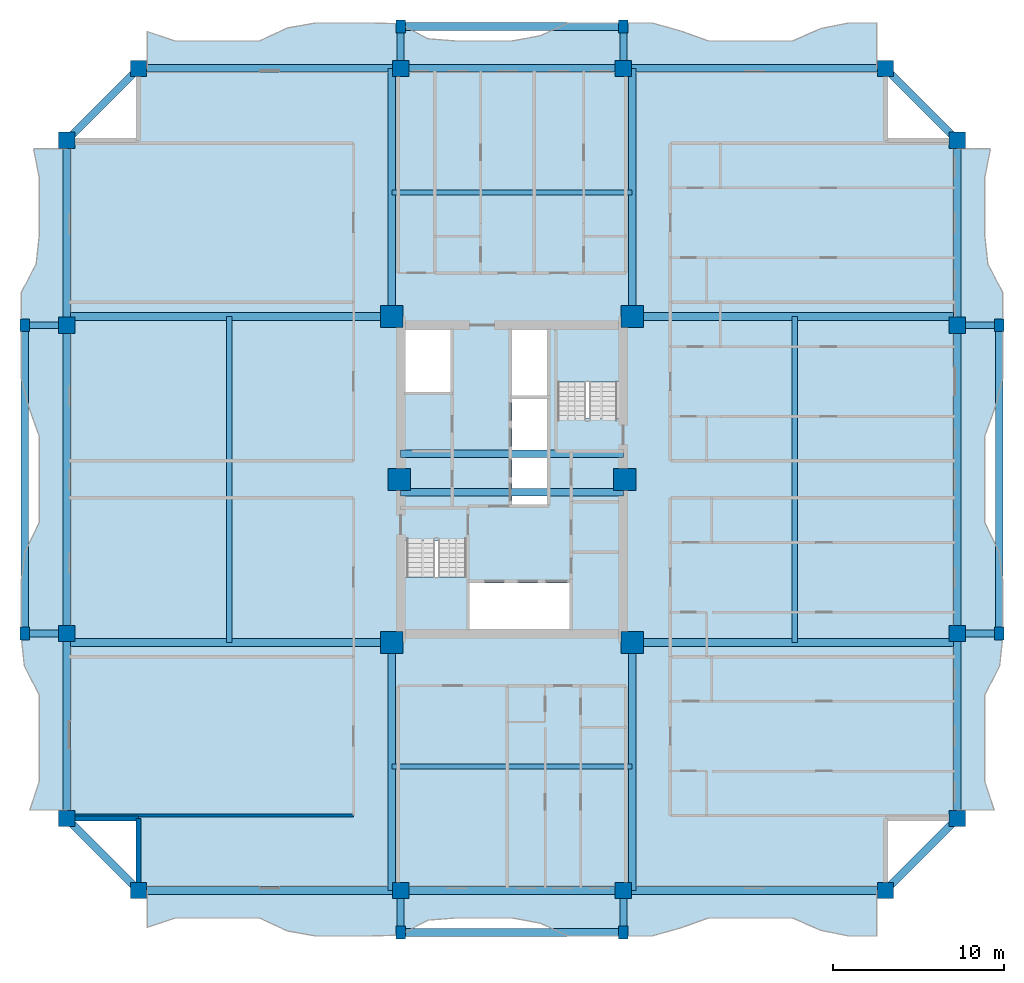
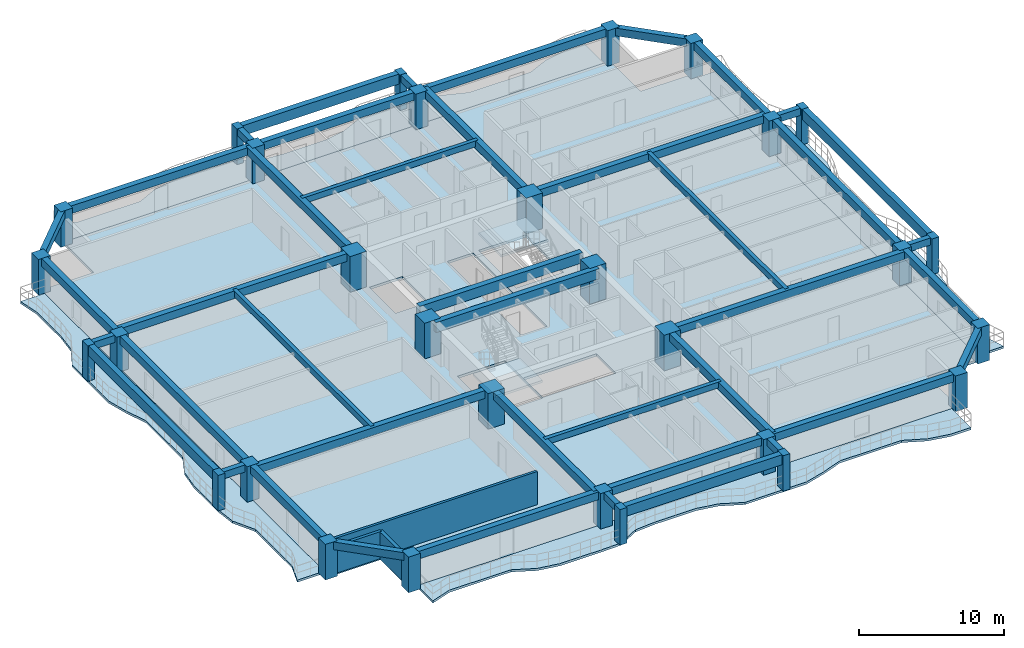
# One storey, part 1 of 12: 42 beams, 30 columns, 7 slabs, 3 walls, 2 elements without a shape of their own.
"""IFC4 building model written with IfcOpenShell, lengths in metres."""

import ifcopenshell
import ifcopenshell.guid

model = None  # the IFC model being written
_history = None  # IfcOwnerHistory: only IFC2X3 demands one
_inside = {}  # id of a spatial element -> (the spatial element, [elements in it])
_under = {}  # id of a project, library or spatial element -> (it, [spatial elements below it])
_declared = {}  # id of a project -> (the project, [libraries it declares])
_typed = {}  # id of a type object -> (the type object, [elements of that type])
_made_of = {}  # id of a material, layer set ... -> (it, [elements and type objects made of it])


def new_model(schema):
    """Start an empty IFC model of exactly this schema.

    Asked for "IFC4X3", IfcOpenShell would pick the latest addendum, in which some entities
    have other attributes; the version numbers below select the first issue.
    IFC2X3 requires an IfcOwnerHistory on every rooted entity: one is made here for all.
    """
    global model, _history
    if schema == "IFC4X3":
        model = ifcopenshell.file(schema_version=(4, 3, 0, 0))
    else:
        model = ifcopenshell.file(schema=schema)
    _inside.clear()
    _under.clear()
    _declared.clear()
    _typed.clear()
    _made_of.clear()
    _history = None
    if model.schema == "IFC2X3":
        org = make("IfcOrganization", Name="unknown")
        user = make(
            "IfcPersonAndOrganization",
            ThePerson=make("IfcPerson", FamilyName="unknown"),
            TheOrganization=org,
        )
        app = make(
            "IfcApplication",
            ApplicationDeveloper=org,
            Version="unknown",
            ApplicationFullName="unknown",
            ApplicationIdentifier="unknown",
        )
        _history = make(
            "IfcOwnerHistory",
            OwningUser=user,
            OwningApplication=app,
            ChangeAction="ADDED",
            CreationDate=0,
        )
    return model


def make(cls, **values):
    """One entity of the class cls with the attributes given. An attribute that is None is left unset."""
    return model.create_entity(
        cls, **{name: value for name, value in values.items() if value is not None}
    )


def rooted(cls, **values):
    """An entity with a GlobalId (a new one), such as an element, a storey or a relation."""
    return make(cls, GlobalId=ifcopenshell.guid.new(), OwnerHistory=_history, **values)


def si_unit(unit_type, name, prefix=None):
    """IfcSIUnit, for example si_unit("LENGTHUNIT", "METRE", prefix="MILLI")."""
    return make("IfcSIUnit", UnitType=unit_type, Prefix=prefix, Name=name)


def assignment(units):
    """IfcUnitAssignment: the units of a project."""
    return None if units is None else make("IfcUnitAssignment", Units=units)


def point(xyz):
    """IfcCartesianPoint."""
    return None if xyz is None else make("IfcCartesianPoint", Coordinates=xyz)


def direction(xyz):
    """IfcDirection."""
    return None if xyz is None else make("IfcDirection", DirectionRatios=xyz)


def frame(location, z_axis=None, x_axis=None):
    """IfcAxis2Placement3D, a coordinate frame: its origin and axes. An axis left out is left unset."""
    return make(
        "IfcAxis2Placement3D",
        Location=point(location),
        Axis=direction(z_axis),
        RefDirection=direction(x_axis),
    )


def frame_2d(location, x_axis=None):
    """IfcAxis2Placement2D, a coordinate frame in the plane: its origin and x axis."""
    return make(
        "IfcAxis2Placement2D", Location=point(location), RefDirection=direction(x_axis)
    )


def origin():
    """The frame at (0, 0, 0) with its axes left unset."""
    return frame((0.0, 0.0, 0.0))


def origin_2d():
    """The frame at (0, 0) in the plane with its x axis left unset."""
    return frame_2d((0.0, 0.0))


def place(relative_to, where):
    """IfcLocalPlacement: puts the frame where relative to a parent placement (None: the world)."""
    return make(
        "IfcLocalPlacement", PlacementRelTo=relative_to, RelativePlacement=where
    )


def context(
    kind, dimensions, precision=None, world=None, true_north=None, identifier=None
):
    """IfcGeometricRepresentationContext, for example the 3D "Model" context."""
    return make(
        "IfcGeometricRepresentationContext",
        ContextIdentifier=identifier,
        ContextType=kind,
        CoordinateSpaceDimension=dimensions,
        Precision=precision,
        WorldCoordinateSystem=world,
        TrueNorth=true_north,
    )


def subcontext(parent, identifier, kind, view, scale=None):
    """IfcGeometricRepresentationSubContext, for example "Body" below "Model"."""
    return make(
        "IfcGeometricRepresentationSubContext",
        ContextIdentifier=identifier,
        ContextType=kind,
        ParentContext=parent,
        TargetScale=scale,
        TargetView=view,
    )


def project(units=None, contexts=None):
    """IfcProject with its units and contexts."""
    return rooted(
        "IfcProject",
        Name="project",
        RepresentationContexts=contexts,
        UnitsInContext=assignment(units),
    )


def spatial(cls, under=None, at=None, **own):
    """A site, building, storey or space (cls), placed at a placement, below another one or the project."""
    s = rooted(cls, ObjectPlacement=at, **own)
    if under is not None:
        _under.setdefault(under.id(), (under, []))[1].append(s)
    return s


def polyline(points):
    """IfcPolyline through the points."""
    return make("IfcPolyline", Points=[point(p) for p in points])


def profile(cls, at=None, kind="AREA", **sizes):
    """A parametric profile (cls). Its sizes go by their IFC names, for example OverallWidth=200.0."""
    return make(cls, ProfileType=kind, Position=at, **sizes)


def rectangle(**sizes):
    """IfcRectangleProfileDef."""
    return profile("IfcRectangleProfileDef", **sizes)


def outline(outer, holes=None, kind="AREA"):
    """IfcArbitraryClosedProfileDef: a profile drawn as a closed curve; with holes, ...WithVoids."""
    if holes is None:
        return make("IfcArbitraryClosedProfileDef", ProfileType=kind, OuterCurve=outer)
    return make(
        "IfcArbitraryProfileDefWithVoids",
        ProfileType=kind,
        OuterCurve=outer,
        InnerCurves=holes,
    )


def extrude(swept, where, along, depth):
    """IfcExtrudedAreaSolid: the profile swept, set in the frame where, extruded along a direction by depth."""
    return make(
        "IfcExtrudedAreaSolid",
        SweptArea=swept,
        Position=where,
        ExtrudedDirection=direction(along),
        Depth=depth,
    )


def shape(context_of_items, identifier, shape_type, items):
    """IfcShapeRepresentation: the items that make up one representation, for example the "Body"."""
    return make(
        "IfcShapeRepresentation",
        ContextOfItems=context_of_items,
        RepresentationIdentifier=identifier,
        RepresentationType=shape_type,
        Items=items,
    )


def source(mapping_origin, context_of_items, identifier, shape_type, items):
    """IfcRepresentationMap: a shape defined once, which mapped items show again and again."""
    return make(
        "IfcRepresentationMap",
        MappingOrigin=mapping_origin,
        MappedRepresentation=shape(context_of_items, identifier, shape_type, items),
    )


def transform(
    local_origin,
    x_axis=None,
    y_axis=None,
    z_axis=None,
    scale=None,
    scale2=None,
    scale3=None,
    uniform=True,
):
    """IfcCartesianTransformationOperator3D, or its non-uniform kind. x_axis, y_axis, z_axis: its Axis1, 2, 3."""
    if uniform:
        return make(
            "IfcCartesianTransformationOperator3D",
            Axis1=direction(x_axis),
            Axis2=direction(y_axis),
            LocalOrigin=point(local_origin),
            Scale=scale,
            Axis3=direction(z_axis),
        )
    return make(
        "IfcCartesianTransformationOperator3DnonUniform",
        Axis1=direction(x_axis),
        Axis2=direction(y_axis),
        LocalOrigin=point(local_origin),
        Scale=scale,
        Axis3=direction(z_axis),
        Scale2=scale2,
        Scale3=scale3,
    )


def mapped(mapping_source, mapping_target):
    """IfcMappedItem: shows the shape of a source again, moved by a transform."""
    return make(
        "IfcMappedItem", MappingSource=mapping_source, MappingTarget=mapping_target
    )


def material(Name=None, Category=None):
    """IfcMaterial."""
    return make("IfcMaterial", Name=Name, Category=Category)


def layer(
    of_material, thickness, ventilated=None, Name=None, Category=None, Priority=None
):
    """IfcMaterialLayer: one layer of a wall or slab, of a material (None: an air gap)."""
    return make(
        "IfcMaterialLayer",
        Material=of_material,
        LayerThickness=thickness,
        IsVentilated=ventilated,
        Name=Name,
        Category=Category,
        Priority=Priority,
    )


def layer_set(layers, Name=None):
    """IfcMaterialLayerSet."""
    return make("IfcMaterialLayerSet", MaterialLayers=layers, LayerSetName=Name)


def material_profile(
    of_material, cross_section, Name=None, Category=None, Priority=None
):
    """IfcMaterialProfile: a cross section and its material."""
    return make(
        "IfcMaterialProfile",
        Name=Name,
        Material=of_material,
        Profile=cross_section,
        Priority=Priority,
        Category=Category,
    )


def profile_set(profiles, Name=None, composite=None):
    """IfcMaterialProfileSet."""
    return make(
        "IfcMaterialProfileSet",
        Name=Name,
        MaterialProfiles=profiles,
        CompositeProfile=composite,
    )


def made_of(thing, what):
    """Note that an element or type object is made of a material, layer set ...; save() writes the relation."""
    if what is not None:
        _made_of.setdefault(what.id(), (what, []))[1].append(thing)
    return thing


def type_object(cls, material=None, **own):
    """A type object (cls), such as IfcWallType, which elements share."""
    return made_of(rooted(cls, **own), material)


def element(
    cls,
    number,
    at=None,
    inside=None,
    cuts=None,
    type_object=None,
    material=None,
    context=None,
    identifier="Body",
    shape_type=None,
    held_by="IfcProductDefinitionShape",
    body=None,
    shapes=None,
    **own,
):
    """One element of the class cls, such as IfcWall. Its Tag is "e" and its number.

    at: its placement. inside: the storey or other place that contains it. cuts: it is an
    opening in that element (IfcRelVoidsElement). A single representation is given by context,
    identifier, shape_type and body (its items); several are given by shapes. held_by: the class
    of the entity that holds the representations. save() writes the other relations.
    """
    e = rooted(cls, Tag="e%d" % number, ObjectPlacement=at, **own)
    if body is not None:
        shapes = [shape(context, identifier, shape_type, body)]
    if shapes is not None:
        e.Representation = make(held_by, Representations=shapes)
    if inside is not None:
        _inside.setdefault(inside.id(), (inside, []))[1].append(e)
    if cuts is not None:
        rooted(
            "IfcRelVoidsElement", RelatingBuildingElement=cuts, RelatedOpeningElement=e
        )
    if type_object is not None:
        _typed.setdefault(type_object.id(), (type_object, []))[1].append(e)
    return made_of(e, material)


def aggregate(whole, parts):
    """IfcRelAggregates: a whole, such as a stair, and the parts it consists of."""
    return rooted("IfcRelAggregates", RelatingObject=whole, RelatedObjects=parts)


def save(model, path):
    """Write the relations noted so far, then the file.

    IfcRelAggregates (storeys below a building ...), IfcRelContainedInSpatialStructure (elements
    in a storey), IfcRelDefinesByType, IfcRelAssociatesMaterial and IfcRelDeclares: one each for
    every whole, place, type object, material and project.
    """
    for whole, parts in _under.values():
        aggregate(whole, parts)
    for where, things in _inside.values():
        rooted(
            "IfcRelContainedInSpatialStructure",
            RelatedElements=things,
            RelatingStructure=where,
        )
    for kind, things in _typed.values():
        rooted("IfcRelDefinesByType", RelatedObjects=things, RelatingType=kind)
    for what, things in _made_of.values():
        rooted("IfcRelAssociatesMaterial", RelatedObjects=things, RelatingMaterial=what)
    for by, libraries in _declared.values():
        rooted("IfcRelDeclares", RelatingContext=by, RelatedDefinitions=libraries)
    model.write(path)


model = new_model("IFC4")

# Units and contexts
model_context = context("Model", 3, precision=1e-05, world=origin(), true_north=direction((0.0, 1.0)))
body_context = subcontext(model_context, "Body", "Model", "MODEL_VIEW")
ifc_project = project(units=[si_unit("LENGTHUNIT", "METRE"), si_unit("AREAUNIT", "SQUARE_METRE"), si_unit("VOLUMEUNIT", "CUBIC_METRE"), si_unit("PLANEANGLEUNIT", "RADIAN"), si_unit("MASSUNIT", "GRAM", prefix="KILO")], contexts=[model_context])

# Site, building, storey
site_placement = place(None, origin())
site = spatial("IfcSite", under=ifc_project, at=site_placement, CompositionType="ELEMENT")
building_placement = place(site_placement, origin())
building = spatial("IfcBuilding", under=site, at=building_placement, Name="Saelheon Loggia Tower", CompositionType="ELEMENT")
storey_placement = place(building_placement, frame((0.0, 0.0, 101.85009765625)))
storey = spatial("IfcBuildingStorey", under=building, at=storey_placement, Name="L32", CompositionType="ELEMENT", Elevation=101.85009765625)

# Columns
ifc_material_1 = material(Name="Precast Concrete C45/55", Category="concrete")
ifc_material_profile_1 = material_profile(ifc_material_1, rectangle(XDim=0.550048828125, YDim=0.75, at=origin_2d()), Name="RC-550x750")
ifc_profile_set_1 = profile_set([ifc_material_profile_1], Name="Precast Concrete C45/55")
column_type_1 = type_object("IfcColumnType", Name="Col_Loggia_Pilaster_750", PredefinedType="PILASTER", material=ifc_profile_set_1)
shared_shape_1 = source(origin(), body_context, "Body", "SweptSolid", [
    extrude(rectangle(XDim=0.550048828125, YDim=0.75, at=origin_2d()), origin(), (0.0, 0.0, 1.0), 3.0),
])
for number, where, z_axis, x_axis, name in (
    (1, (31.5, 0.550048828125, 0.0), (0.0, 0.0, 1.0), (1.0, 0.0, 0.0), "L32 Loggia Frame Pilaster LP-S1"),
    (2, (44.5, 0.550048828125, 0.0), (0.0, 0.0, 1.0), (1.0, 0.0, 0.0), "L32 Loggia Frame Pilaster LP-S2"),
    (3, (31.5, 53.449951171875, 0.0), (0.0, 0.0, 1.0), (1.0, 0.0, 0.0), "L32 Loggia Frame Pilaster LP-N1"),
    (4, (44.5, 53.449951171875, 0.0), (0.0, 0.0, 1.0), (1.0, 0.0, 0.0), "L32 Loggia Frame Pilaster LP-N2"),
    (5, (66.449951171875, 18.0, 0.0), (0.0, 0.0, 1.0), (1.0, 0.0, 0.0), "L32 Loggia Frame Pilaster LP-E1"),
    (6, (66.449951171875, 36.0, 0.0), (0.0, 0.0, 1.0), (1.0, 0.0, 0.0), "L32 Loggia Frame Pilaster LP-E2"),
    (7, (9.550048828125, 18.0, 0.0), (0.0, 0.0, 1.0), (1.0, 0.0, 0.0), "L32 Loggia Frame Pilaster LP-W1"),
    (8, (9.550048828125, 36.0, 0.0), (0.0, 0.0, 1.0), (1.0, 0.0, 0.0), "L32 Loggia Frame Pilaster LP-W2"),
):
    element("IfcColumn", number, at=place(storey_placement, frame(where, z_axis=z_axis, x_axis=x_axis)), inside=storey, type_object=column_type_1, Name=name, PredefinedType="PILASTER", context=body_context, shape_type="MappedRepresentation", body=[
        mapped(shared_shape_1, transform((0.0, 0.0, 0.0), scale=1.0)),
    ])
ifc_material_2 = material(Name="Concrete C60/75", Category="concrete")
ifc_material_profile_2 = material_profile(ifc_material_2, rectangle(XDim=1.300048828125, YDim=1.300048828125, at=origin_2d()), Name="RC-1300x1300")
ifc_profile_set_2 = profile_set([ifc_material_profile_2], Name="Concrete C60/75")
column_type_2 = type_object("IfcColumnType", Name="Col_Core_RC1300", PredefinedType="COLUMN", material=ifc_profile_set_2)
shared_shape_2 = source(origin(), body_context, "Body", "SweptSolid", [
    extrude(rectangle(XDim=1.300048828125, YDim=1.300048828125, at=origin_2d()), origin(), (0.0, 0.0, 1.0), 3.0),
])
for number, where, z_axis, x_axis, name in (
    (9, (30.97998046875, 17.47998046875, 0.0), (0.0, 0.0, 1.0), (1.0, 0.0, 0.0), "L32 Core Column CR-SW"),
    (10, (45.02001953125, 17.47998046875, 0.0), (0.0, 0.0, 1.0), (1.0, 0.0, 0.0), "L32 Core Column CR-SE"),
    (11, (30.97998046875, 36.52001953125, 0.0), (0.0, 0.0, 1.0), (1.0, 0.0, 0.0), "L32 Core Column CR-NW"),
    (12, (45.02001953125, 36.52001953125, 0.0), (0.0, 0.0, 1.0), (1.0, 0.0, 0.0), "L32 Core Column CR-NE"),
    (13, (31.419921875, 27.0, 0.0), (0.0, 0.0, 1.0), (1.0, 0.0, 0.0), "L32 Core Column CR-MW"),
    (14, (44.580078125, 27.0, 0.0), (0.0, 0.0, 1.0), (1.0, 0.0, 0.0), "L32 Core Column CR-ME"),
):
    element("IfcColumn", number, at=place(storey_placement, frame(where, z_axis=z_axis, x_axis=x_axis)), inside=storey, type_object=column_type_2, Name=name, PredefinedType="COLUMN", context=body_context, shape_type="MappedRepresentation", body=[
        mapped(shared_shape_2, transform((0.0, 0.0, 0.0), scale=1.0)),
    ])
ifc_material_3 = material(Name="Concrete C50/60", Category="concrete")
ifc_material_profile_3 = material_profile(ifc_material_3, rectangle(XDim=0.949951171875, YDim=0.949951171875, at=origin_2d()), Name="RC-950x950")
ifc_profile_set_3 = profile_set([ifc_material_profile_3], Name="Concrete C50/60")
column_type_3 = type_object("IfcColumnType", Name="Col_Perim_RC950", PredefinedType="COLUMN", material=ifc_profile_set_3)
shared_shape_3 = source(origin(), body_context, "Body", "SweptSolid", [
    extrude(rectangle(XDim=0.949951171875, YDim=0.949951171875, at=origin_2d()), origin(), (0.0, 0.0, 1.0), 3.0),
])
for number, where, z_axis, x_axis, name in (
    (15, (16.199951171875, 3.0, 0.0), (0.0, 0.0, 1.0), (1.0, 0.0, 0.0), "L32 Perimeter Column TP-S1"),
    (16, (31.5, 3.0, 0.0), (0.0, 0.0, 1.0), (1.0, 0.0, 0.0), "L32 Perimeter Column TP-SA"),
    (17, (44.5, 3.0, 0.0), (0.0, 0.0, 1.0), (1.0, 0.0, 0.0), "L32 Perimeter Column TP-SB"),
    (18, (59.800048828125, 3.0, 0.0), (0.0, 0.0, 1.0), (1.0, 0.0, 0.0), "L32 Perimeter Column TP-S2"),
    (19, (64.0, 7.199951171875, 0.0), (0.0, 0.0, 1.0), (1.0, 0.0, 0.0), "L32 Perimeter Column TP-E1"),
    (20, (64.0, 18.0, 0.0), (0.0, 0.0, 1.0), (1.0, 0.0, 0.0), "L32 Perimeter Column TP-EA"),
    (21, (64.0, 36.0, 0.0), (0.0, 0.0, 1.0), (1.0, 0.0, 0.0), "L32 Perimeter Column TP-EB"),
    (22, (64.0, 46.800048828125, 0.0), (0.0, 0.0, 1.0), (1.0, 0.0, 0.0), "L32 Perimeter Column TP-E2"),
    (23, (59.800048828125, 51.0, 0.0), (0.0, 0.0, 1.0), (1.0, 0.0, 0.0), "L32 Perimeter Column TP-N2"),
    (24, (44.5, 51.0, 0.0), (0.0, 0.0, 1.0), (1.0, 0.0, 0.0), "L32 Perimeter Column TP-NB"),
    (25, (31.5, 51.0, 0.0), (0.0, 0.0, 1.0), (1.0, 0.0, 0.0), "L32 Perimeter Column TP-NA"),
    (26, (16.199951171875, 51.0, 0.0), (0.0, 0.0, 1.0), (1.0, 0.0, 0.0), "L32 Perimeter Column TP-N1"),
    (27, (12.0, 46.800048828125, 0.0), (0.0, 0.0, 1.0), (1.0, 0.0, 0.0), "L32 Perimeter Column TP-W2"),
    (28, (12.0, 36.0, 0.0), (0.0, 0.0, 1.0), (1.0, 0.0, 0.0), "L32 Perimeter Column TP-WB"),
    (29, (12.0, 18.0, 0.0), (0.0, 0.0, 1.0), (1.0, 0.0, 0.0), "L32 Perimeter Column TP-WA"),
    (30, (12.0, 7.199951171875, 0.0), (0.0, 0.0, 1.0), (1.0, 0.0, 0.0), "L32 Perimeter Column TP-W1"),
):
    element("IfcColumn", number, at=place(storey_placement, frame(where, z_axis=z_axis, x_axis=x_axis)), inside=storey, type_object=column_type_3, Name=name, PredefinedType="COLUMN", context=body_context, shape_type="MappedRepresentation", body=[
        mapped(shared_shape_3, transform((0.0, 0.0, 0.0), scale=1.0)),
    ])

# Beams
ifc_material_profile_4 = material_profile(ifc_material_3, rectangle(XDim=0.449951171875, YDim=0.85009765625, at=origin_2d()), Name="RC-450x850")
ifc_profile_set_4 = profile_set([ifc_material_profile_4], Name="Concrete C50/60")
beam_type_1 = type_object("IfcBeamType", Name="Beam_CoreLintel_RC450x850", PredefinedType="LINTEL", material=ifc_profile_set_4)
shared_shape_4 = source(origin(), body_context, "Body", "SweptSolid", [
    extrude(rectangle(XDim=0.449951171875, YDim=0.85009765625, at=origin_2d()), origin(), (0.0, 0.0, 1.0), 13.0),
])
for number, where, z_axis, x_axis, name in (
    (31, (31.5, 26.25, 2.574951171875), (1.0, 0.0, 0.0), (0.0, 1.0, 0.0), "L32 Core Coupling Lintel 1"),
    (32, (31.5, 28.5, 2.574951171875), (1.0, 0.0, 0.0), (0.0, 1.0, 0.0), "L32 Core Coupling Lintel 2"),
):
    element("IfcBeam", number, at=place(storey_placement, frame(where, z_axis=z_axis, x_axis=x_axis)), inside=storey, type_object=beam_type_1, Name=name, PredefinedType="LINTEL", context=body_context, shape_type="MappedRepresentation", body=[
        mapped(shared_shape_4, transform((0.0, 0.0, 0.0), scale=1.0)),
    ])
ifc_material_profile_5 = material_profile(ifc_material_1, rectangle(XDim=0.449951171875, YDim=0.85009765625, at=origin_2d()), Name="RC-450x850")
ifc_profile_set_5 = profile_set([ifc_material_profile_5], Name="Precast Concrete C45/55")
beam_type_2 = type_object("IfcBeamType", Name="Beam_LoggiaSpandrel_RC450x850", PredefinedType="SPANDREL", material=ifc_profile_set_5)
for number, where, z_axis, x_axis, name in (
    (33, (31.5, 0.550048828125, 2.574951171875), (1.0, 0.0, 0.0), (0.0, 1.0, 0.0), "L32 Loggia Spandrel Beam S"),
    (34, (31.5, 53.449951171875, 2.574951171875), (1.0, 0.0, 0.0), (0.0, 1.0, 0.0), "L32 Loggia Spandrel Beam N"),
):
    element("IfcBeam", number, at=place(storey_placement, frame(where, z_axis=z_axis, x_axis=x_axis)), inside=storey, type_object=beam_type_2, Name=name, PredefinedType="SPANDREL", context=body_context, shape_type="MappedRepresentation", body=[
        mapped(shared_shape_4, transform((0.0, 0.0, 0.0), scale=1.0)),
    ])
ifc_material_profile_6 = material_profile(ifc_material_1, rectangle(XDim=0.39990234375, YDim=0.60009765625, at=origin_2d()), Name="RC-400x600")
ifc_profile_set_6 = profile_set([ifc_material_profile_6], Name="Precast Concrete C45/55")
beam_type_3 = type_object("IfcBeamType", Name="Beam_LoggiaTie_RC400x600", PredefinedType="BEAM", material=ifc_profile_set_6)
shared_shape_5 = source(origin(), body_context, "Body", "SweptSolid", [
    extrude(rectangle(XDim=0.39990234375, YDim=0.60009765625, at=origin_2d()), origin(), (0.0, 0.0, 1.0), 2.449951171875),
])
for number, where, z_axis, x_axis, name in (
    (35, (31.5, 3.0, 2.699951171875), (0.0, -1.0, 0.0), (1.0, 0.0, 0.0), "L32 Loggia Frame Tie Beam LP-S1"),
    (36, (44.5, 3.0, 2.699951171875), (0.0, -1.0, 0.0), (1.0, 0.0, 0.0), "L32 Loggia Frame Tie Beam LP-S2"),
    (37, (31.5, 51.0, 2.699951171875), (0.0, 1.0, 0.0), (-1.0, 0.0, 0.0), "L32 Loggia Frame Tie Beam LP-N1"),
    (38, (44.5, 51.0, 2.699951171875), (0.0, 1.0, 0.0), (-1.0, 0.0, 0.0), "L32 Loggia Frame Tie Beam LP-N2"),
    (39, (64.0, 18.0, 2.699951171875), (1.0, 0.0, 0.0), (0.0, 1.0, 0.0), "L32 Loggia Frame Tie Beam LP-E1"),
    (40, (64.0, 36.0, 2.699951171875), (1.0, 0.0, 0.0), (0.0, 1.0, 0.0), "L32 Loggia Frame Tie Beam LP-E2"),
    (41, (12.0, 18.0, 2.699951171875), (-1.0, 0.0, 0.0), (0.0, -1.0, 0.0), "L32 Loggia Frame Tie Beam LP-W1"),
    (42, (12.0, 36.0, 2.699951171875), (-1.0, 0.0, 0.0), (0.0, -1.0, 0.0), "L32 Loggia Frame Tie Beam LP-W2"),
):
    element("IfcBeam", number, at=place(storey_placement, frame(where, z_axis=z_axis, x_axis=x_axis)), inside=storey, type_object=beam_type_3, Name=name, PredefinedType="BEAM", context=body_context, shape_type="MappedRepresentation", body=[
        mapped(shared_shape_5, transform((0.0, 0.0, 0.0), scale=1.0)),
    ])
shared_shape_6 = source(origin(), body_context, "Body", "SweptSolid", [
    extrude(rectangle(XDim=0.449951171875, YDim=0.85009765625, at=origin_2d()), origin(), (0.0, 0.0, 1.0), 18.0),
])
for number, where, z_axis, x_axis, name in (
    (43, (66.449951171875, 18.0, 2.574951171875), (0.0, 1.0, 0.0), (-1.0, 0.0, 0.0), "L32 Loggia Spandrel Beam E"),
    (44, (9.550048828125, 18.0, 2.574951171875), (0.0, 1.0, 0.0), (-1.0, 0.0, 0.0), "L32 Loggia Spandrel Beam W"),
):
    element("IfcBeam", number, at=place(storey_placement, frame(where, z_axis=z_axis, x_axis=x_axis)), inside=storey, type_object=beam_type_2, Name=name, PredefinedType="SPANDREL", context=body_context, shape_type="MappedRepresentation", body=[
        mapped(shared_shape_6, transform((0.0, 0.0, 0.0), scale=1.0)),
    ])
ifc_material_4 = material(Name="Concrete C40/50", Category="concrete")
ifc_material_profile_7 = material_profile(ifc_material_4, rectangle(XDim=0.449951171875, YDim=0.64990234375, at=origin_2d()), Name="RC-450x650")
ifc_profile_set_7 = profile_set([ifc_material_profile_7], Name="Concrete C40/50")
beam_type_4 = type_object("IfcBeamType", Name="Beam_PerimTower_RC450x650", PredefinedType="BEAM", material=ifc_profile_set_7)
shared_shape_7 = source(origin(), body_context, "Body", "SweptSolid", [
    extrude(rectangle(XDim=0.449951171875, YDim=0.64990234375, at=origin_2d()), origin(), (0.0, 0.0, 1.0), 15.300048828125),
])
for number, where, z_axis, x_axis, name in (
    (45, (16.199951171875, 3.0, 2.6748046875), (1.0, 0.0, 0.0), (0.0, 1.0, 0.0), "L32 Perimeter Frame Girder 01"),
    (46, (44.5, 3.0, 2.6748046875), (1.0, 0.0, 0.0), (0.0, 1.0, 0.0), "L32 Perimeter Frame Girder 03"),
    (47, (59.800048828125, 51.0, 2.6748046875), (-1.0, 0.0, 0.0), (0.0, -1.0, 0.0), "L32 Perimeter Frame Girder 09"),
    (48, (31.5, 51.0, 2.6748046875), (-1.0, 0.0, 0.0), (0.0, -1.0, 0.0), "L32 Perimeter Frame Girder 11"),
):
    element("IfcBeam", number, at=place(storey_placement, frame(where, z_axis=z_axis, x_axis=x_axis)), inside=storey, type_object=beam_type_4, Name=name, PredefinedType="BEAM", context=body_context, shape_type="MappedRepresentation", body=[
        mapped(shared_shape_7, transform((0.0, 0.0, 0.0), scale=1.0)),
    ])
shared_shape_8 = source(origin(), body_context, "Body", "SweptSolid", [
    extrude(rectangle(XDim=0.449951171875, YDim=0.64990234375, at=origin_2d()), origin(), (0.0, 0.0, 1.0), 13.0),
])
for number, where, z_axis, x_axis, name in (
    (49, (31.5, 3.0, 2.6748046875), (1.0, 0.0, 0.0), (0.0, 1.0, 0.0), "L32 Perimeter Frame Girder 02"),
    (50, (44.5, 51.0, 2.6748046875), (-1.0, 0.0, 0.0), (0.0, -1.0, 0.0), "L32 Perimeter Frame Girder 10"),
):
    element("IfcBeam", number, at=place(storey_placement, frame(where, z_axis=z_axis, x_axis=x_axis)), inside=storey, type_object=beam_type_4, Name=name, PredefinedType="BEAM", context=body_context, shape_type="MappedRepresentation", body=[
        mapped(shared_shape_8, transform((0.0, 0.0, 0.0), scale=1.0)),
    ])
shared_shape_9 = source(origin(), body_context, "Body", "SweptSolid", [
    extrude(rectangle(XDim=0.449951171875, YDim=0.64990234375, at=origin_2d()), origin(), (0.0, 0.0, 1.0), 5.939697265625),
])
for number, where, z_axis, x_axis, name in (
    (51, (59.800048828125, 3.0, 2.6748046875), (0.707106781187, 0.707106781187, 0.0), (-0.707106781187, 0.707106781187, 0.0), "L32 Perimeter Frame Girder 04"),
    (52, (64.0, 46.800048828125, 2.6748046875), (-0.707106781187, 0.707106781187, 0.0), (-0.707106781187, -0.707106781187, 0.0), "L32 Perimeter Frame Girder 08"),
    (53, (16.199951171875, 51.0, 2.6748046875), (-0.707106781187, -0.707106781187, 0.0), (0.707106781187, -0.707106781187, 0.0), "L32 Perimeter Frame Girder 12"),
    (54, (12.0, 7.199951171875, 2.6748046875), (0.707106781187, -0.707106781187, 0.0), (0.707106781187, 0.707106781187, 0.0), "L32 Perimeter Frame Girder 16"),
):
    element("IfcBeam", number, at=place(storey_placement, frame(where, z_axis=z_axis, x_axis=x_axis)), inside=storey, type_object=beam_type_4, Name=name, PredefinedType="BEAM", context=body_context, shape_type="MappedRepresentation", body=[
        mapped(shared_shape_9, transform((0.0, 0.0, 0.0), scale=1.0)),
    ])
shared_shape_10 = source(origin(), body_context, "Body", "SweptSolid", [
    extrude(rectangle(XDim=0.449951171875, YDim=0.64990234375, at=origin_2d()), origin(), (0.0, 0.0, 1.0), 10.800048828125),
])
for number, where, z_axis, x_axis, name in (
    (55, (64.0, 7.199951171875, 2.6748046875), (0.0, 1.0, 0.0), (-1.0, 0.0, 0.0), "L32 Perimeter Frame Girder 05"),
    (56, (64.0, 36.0, 2.6748046875), (0.0, 1.0, 0.0), (-1.0, 0.0, 0.0), "L32 Perimeter Frame Girder 07"),
    (57, (12.0, 46.800048828125, 2.6748046875), (0.0, -1.0, 0.0), (1.0, 0.0, 0.0), "L32 Perimeter Frame Girder 13"),
    (58, (12.0, 18.0, 2.6748046875), (0.0, -1.0, 0.0), (1.0, 0.0, 0.0), "L32 Perimeter Frame Girder 15"),
):
    element("IfcBeam", number, at=place(storey_placement, frame(where, z_axis=z_axis, x_axis=x_axis)), inside=storey, type_object=beam_type_4, Name=name, PredefinedType="BEAM", context=body_context, shape_type="MappedRepresentation", body=[
        mapped(shared_shape_10, transform((0.0, 0.0, 0.0), scale=1.0)),
    ])
shared_shape_11 = source(origin(), body_context, "Body", "SweptSolid", [
    extrude(rectangle(XDim=0.449951171875, YDim=0.64990234375, at=origin_2d()), origin(), (0.0, 0.0, 1.0), 18.0),
])
for number, where, z_axis, x_axis, name in (
    (59, (64.0, 18.0, 2.6748046875), (0.0, 1.0, 0.0), (-1.0, 0.0, 0.0), "L32 Perimeter Frame Girder 06"),
    (60, (12.0, 36.0, 2.6748046875), (0.0, -1.0, 0.0), (1.0, 0.0, 0.0), "L32 Perimeter Frame Girder 14"),
):
    element("IfcBeam", number, at=place(storey_placement, frame(where, z_axis=z_axis, x_axis=x_axis)), inside=storey, type_object=beam_type_4, Name=name, PredefinedType="BEAM", context=body_context, shape_type="MappedRepresentation", body=[
        mapped(shared_shape_11, transform((0.0, 0.0, 0.0), scale=1.0)),
    ])
ifc_material_profile_8 = material_profile(ifc_material_4, rectangle(XDim=0.449951171875, YDim=0.64990234375, at=origin_2d()), Name="RC-450x650")
ifc_profile_set_8 = profile_set([ifc_material_profile_8], Name="Concrete C40/50")
beam_type_5 = type_object("IfcBeamType", Name="Beam_TowerGirder_RC450x650", PredefinedType="BEAM", material=ifc_profile_set_8)
shared_shape_12 = source(origin(), body_context, "Body", "SweptSolid", [
    extrude(rectangle(XDim=0.449951171875, YDim=0.64990234375, at=origin_2d()), origin(), (0.0, 0.0, 1.0), 14.47998046875),
])
for number, where, z_axis, x_axis, name in (
    (61, (30.97998046875, 17.47998046875, 2.6748046875), (0.0, -1.0, 0.0), (1.0, 0.0, 0.0), "L32 Radial Floor Girder RAD-SW-S"),
    (62, (45.02001953125, 17.47998046875, 2.6748046875), (0.0, -1.0, 0.0), (1.0, 0.0, 0.0), "L32 Radial Floor Girder RAD-SE-S"),
    (63, (30.97998046875, 36.52001953125, 2.6748046875), (0.0, 1.0, 0.0), (-1.0, 0.0, 0.0), "L32 Radial Floor Girder RAD-NW-N"),
    (64, (45.02001953125, 36.52001953125, 2.6748046875), (0.0, 1.0, 0.0), (-1.0, 0.0, 0.0), "L32 Radial Floor Girder RAD-NE-N"),
):
    element("IfcBeam", number, at=place(storey_placement, frame(where, z_axis=z_axis, x_axis=x_axis)), inside=storey, type_object=beam_type_5, Name=name, PredefinedType="BEAM", context=body_context, shape_type="MappedRepresentation", body=[
        mapped(shared_shape_12, transform((0.0, 0.0, 0.0), scale=1.0)),
    ])
shared_shape_13 = source(origin(), body_context, "Body", "SweptSolid", [
    extrude(rectangle(XDim=0.449951171875, YDim=0.64990234375, at=origin_2d()), origin(), (0.0, 0.0, 1.0), 18.97998046875),
])
for number, where, z_axis, x_axis, name in (
    (65, (30.97998046875, 17.47998046875, 2.6748046875), (-1.0, 0.0, 0.0), (0.0, -1.0, 0.0), "L32 Radial Floor Girder RAD-SW-W"),
    (66, (30.97998046875, 36.52001953125, 2.6748046875), (-1.0, 0.0, 0.0), (0.0, -1.0, 0.0), "L32 Radial Floor Girder RAD-NW-W"),
    (67, (45.02001953125, 17.47998046875, 2.6748046875), (1.0, 0.0, 0.0), (0.0, 1.0, 0.0), "L32 Radial Floor Girder RAD-SE-E"),
    (68, (45.02001953125, 36.52001953125, 2.6748046875), (1.0, 0.0, 0.0), (0.0, 1.0, 0.0), "L32 Radial Floor Girder RAD-NE-E"),
):
    element("IfcBeam", number, at=place(storey_placement, frame(where, z_axis=z_axis, x_axis=x_axis)), inside=storey, type_object=beam_type_5, Name=name, PredefinedType="BEAM", context=body_context, shape_type="MappedRepresentation", body=[
        mapped(shared_shape_13, transform((0.0, 0.0, 0.0), scale=1.0)),
    ])
ifc_material_profile_9 = material_profile(ifc_material_4, rectangle(XDim=0.300048828125, YDim=0.5, at=origin_2d()), Name="RC-300x500")
ifc_profile_set_9 = profile_set([ifc_material_profile_9], Name="Concrete C40/50")
beam_type_6 = type_object("IfcBeamType", Name="Beam_Joist_RC300x500", PredefinedType="JOIST", material=ifc_profile_set_9)
shared_shape_14 = source(origin(), body_context, "Body", "SweptSolid", [
    extrude(rectangle(XDim=0.300048828125, YDim=0.5, at=origin_2d()), origin(), (0.0, 0.0, 1.0), 14.0400390625),
])
for number, where, z_axis, x_axis, name in (
    (69, (30.97998046875, 10.239990234375, 2.75), (1.0, 0.0, 0.0), (0.0, 1.0, 0.0), "L32 South Floor Joist"),
    (70, (30.97998046875, 43.760009765625, 2.75), (1.0, 0.0, 0.0), (0.0, 1.0, 0.0), "L32 North Floor Joist"),
):
    element("IfcBeam", number, at=place(storey_placement, frame(where, z_axis=z_axis, x_axis=x_axis)), inside=storey, type_object=beam_type_6, Name=name, PredefinedType="JOIST", context=body_context, shape_type="MappedRepresentation", body=[
        mapped(shared_shape_14, transform((0.0, 0.0, 0.0), scale=1.0)),
    ])
shared_shape_15 = source(origin(), body_context, "Body", "SweptSolid", [
    extrude(rectangle(XDim=0.300048828125, YDim=0.5, at=origin_2d()), origin(), (0.0, 0.0, 1.0), 19.0400390625),
])
for number, where, z_axis, x_axis, name in (
    (71, (21.489990234375, 17.47998046875, 2.75), (0.0, 1.0, 0.0), (-1.0, 0.0, 0.0), "L32 West Floor Joist"),
    (72, (54.510009765625, 17.47998046875, 2.75), (0.0, 1.0, 0.0), (-1.0, 0.0, 0.0), "L32 East Floor Joist"),
):
    element("IfcBeam", number, at=place(storey_placement, frame(where, z_axis=z_axis, x_axis=x_axis)), inside=storey, type_object=beam_type_6, Name=name, PredefinedType="JOIST", context=body_context, shape_type="MappedRepresentation", body=[
        mapped(shared_shape_15, transform((0.0, 0.0, 0.0), scale=1.0)),
    ])

# Slabs
ifc_layer_1 = layer(ifc_material_1, 0.18994140625)
ifc_layer_set_1 = layer_set([ifc_layer_1], Name="Precast Concrete C45/55")
slab_type_1 = type_object("IfcSlabType", Name="Slab_Loggia_Ext_190", PredefinedType="FLOOR", material=ifc_layer_set_1)
slab_1_placement = place(storey_placement, frame((0.0, 0.0, -0.190185546875)))
element("IfcSlab", 73, at=slab_1_placement, inside=storey, type_object=slab_type_1, Name="L32 Loggia Balcony Slab S", PredefinedType="FLOOR", context=body_context, shape_type="SweptSolid", body=[
    extrude(outline(polyline([(16.699951171875, 0.85009765625), (18.33837890625, 1.39990234375), (19.976806640625, 1.39990234375), (21.615478515625, 1.39990234375), (23.25390625, 1.39990234375), (24.892333984375, 0.6376953125), (26.53076171875, 0.35009765625), (28.169189453125, 0.35009765625), (29.8076171875, 0.35009765625), (31.4462890625, 0.394775390625), (33.084716796875, 1.26953125), (34.72314453125, 1.39990234375), (36.361572265625, 1.39990234375), (38.0, 1.39990234375), (39.638427734375, 1.099609375), (41.27685546875, 0.35009765625), (42.915283203125, 0.35009765625), (44.5537109375, 0.35009765625), (46.1923828125, 0.35009765625), (47.830810546875, 0.8125), (49.46923828125, 1.39990234375), (51.107666015625, 1.39990234375), (52.74609375, 1.39990234375), (54.384521484375, 1.39990234375), (56.023193359375, 0.6748046875), (57.66162109375, 0.35009765625), (59.300048828125, 0.35009765625), (59.300048828125, 3.0), (16.699951171875, 3.0), (16.699951171875, 0.85009765625)])), origin(), (0.0, 0.0, 1.0), 0.190185546875),
])
slab_2_placement = place(storey_placement, frame((0.0, 0.0, -0.190185546875)))
element("IfcSlab", 74, at=slab_2_placement, inside=storey, type_object=slab_type_1, Name="L32 Loggia Balcony Slab N", PredefinedType="FLOOR", context=body_context, shape_type="SweptSolid", body=[
    extrude(outline(polyline([(16.699951171875, 51.0), (59.300048828125, 51.0), (59.300048828125, 53.64990234375), (57.66162109375, 53.64990234375), (56.023193359375, 53.3251953125), (54.384521484375, 52.60009765625), (52.74609375, 52.60009765625), (51.107666015625, 52.60009765625), (49.46923828125, 52.60009765625), (47.830810546875, 53.1875), (46.1923828125, 53.64990234375), (44.5537109375, 53.64990234375), (42.915283203125, 53.64990234375), (41.27685546875, 53.64990234375), (39.638427734375, 52.900390625), (38.0, 52.60009765625), (36.361572265625, 52.60009765625), (34.72314453125, 52.60009765625), (33.084716796875, 52.73046875), (31.4462890625, 53.605224609375), (29.8076171875, 53.64990234375), (28.169189453125, 53.64990234375), (26.53076171875, 53.64990234375), (24.892333984375, 53.3623046875), (23.25390625, 52.60009765625), (21.615478515625, 52.60009765625), (19.976806640625, 52.60009765625), (18.33837890625, 52.60009765625), (16.699951171875, 53.14990234375), (16.699951171875, 51.0)])), origin(), (0.0, 0.0, 1.0), 0.190185546875),
])
slab_3_placement = place(storey_placement, frame((0.0, 0.0, -0.190185546875)))
element("IfcSlab", 75, at=slab_3_placement, inside=storey, type_object=slab_type_1, Name="L32 Loggia Balcony Slab E", PredefinedType="FLOOR", context=body_context, shape_type="SweptSolid", body=[
    extrude(outline(polyline([(64.0, 7.699951171875), (66.14990234375, 7.699951171875), (65.60009765625, 9.37841796875), (65.60009765625, 11.056396484375), (65.60009765625, 12.73486328125), (65.60009765625, 14.4130859375), (66.468505859375, 16.09130859375), (66.64990234375, 17.76953125), (66.64990234375, 19.44775390625), (66.64990234375, 21.126220703125), (66.417724609375, 22.80419921875), (65.60009765625, 24.482666015625), (65.60009765625, 26.160888671875), (65.60009765625, 27.839111328125), (65.60009765625, 29.517333984375), (66.201904296875, 31.19580078125), (66.64990234375, 32.873779296875), (66.64990234375, 34.55224609375), (66.64990234375, 36.23046875), (66.64990234375, 37.90869140625), (65.78125, 39.5869140625), (65.60009765625, 41.26513671875), (65.60009765625, 42.943603515625), (65.60009765625, 44.62158203125), (65.933349609375, 46.300048828125), (64.0, 46.300048828125), (64.0, 7.699951171875)])), origin(), (0.0, 0.0, 1.0), 0.190185546875),
])
slab_4_placement = place(storey_placement, frame((0.0, 0.0, -0.190185546875)))
element("IfcSlab", 76, at=slab_4_placement, inside=storey, type_object=slab_type_1, Name="L32 Loggia Balcony Slab W", PredefinedType="FLOOR", context=body_context, shape_type="SweptSolid", body=[
    extrude(outline(polyline([(12.0, 7.699951171875), (12.0, 46.300048828125), (10.066650390625, 46.300048828125), (10.39990234375, 44.62158203125), (10.39990234375, 42.943603515625), (10.39990234375, 41.26513671875), (10.21875, 39.5869140625), (9.35009765625, 37.90869140625), (9.35009765625, 36.23046875), (9.35009765625, 34.55224609375), (9.35009765625, 32.873779296875), (9.798095703125, 31.19580078125), (10.39990234375, 29.517333984375), (10.39990234375, 27.839111328125), (10.39990234375, 26.160888671875), (10.39990234375, 24.482666015625), (9.582275390625, 22.80419921875), (9.35009765625, 21.126220703125), (9.35009765625, 19.44775390625), (9.35009765625, 17.76953125), (9.531494140625, 16.09130859375), (10.39990234375, 14.4130859375), (10.39990234375, 12.73486328125), (10.39990234375, 11.056396484375), (10.39990234375, 9.37841796875), (9.85009765625, 7.699951171875), (12.0, 7.699951171875)])), origin(), (0.0, 0.0, 1.0), 0.190185546875),
])

# Stair, slab
stair_type = type_object("IfcStairType", Name="Stair_Escape_Core", PredefinedType="HALF_TURN_STAIR", material=ifc_material_4)
stair_1_placement = place(storey_placement, origin())
stair_1 = element("IfcStair", 77, at=stair_1_placement, inside=storey, type_object=stair_type, Name="L32 Special Escape Stair ST1", PredefinedType="HALF_TURN_STAIR")
ifc_layer_2 = layer(ifc_material_4, 0.199951171875)
ifc_layer_set_2 = layer_set([ifc_layer_2], Name="Concrete C40/50")
slab_type_2 = type_object("IfcSlabType", Name="Slab_StairLanding_ST1", PredefinedType="LANDING", material=ifc_layer_set_2)
slab_5_placement = place(storey_placement, frame((0.0, 0.0, 1.2998046875)))
slab_5 = element("IfcSlab", 78, at=slab_5_placement, type_object=slab_type_2, Name="ST1 landing 1", PredefinedType="LANDING", context=body_context, shape_type="SweptSolid", body=[
    extrude(outline(polyline([(31.7099609375, 21.31005859375), (31.7099609375, 18.2099609375), (35.469970703125, 18.2099609375), (35.469970703125, 21.31005859375), (31.7099609375, 21.31005859375)])), origin(), (0.0, 0.0, 1.0), 0.2001953125),
])
aggregate(stair_1, [slab_5])

stair_2_placement = place(storey_placement, origin())
stair_2 = element("IfcStair", 79, at=stair_2_placement, inside=storey, type_object=stair_type, Name="L32 Special Escape Stair ST2", PredefinedType="HALF_TURN_STAIR")
ifc_layer_3 = layer(ifc_material_4, 0.199951171875)
ifc_layer_set_3 = layer_set([ifc_layer_3], Name="Concrete C40/50")
slab_type_3 = type_object("IfcSlabType", Name="Slab_StairLanding_ST2", PredefinedType="LANDING", material=ifc_layer_set_3)
slab_6_placement = place(storey_placement, frame((0.0, 0.0, 1.2998046875)))
slab_6 = element("IfcSlab", 80, at=slab_6_placement, type_object=slab_type_3, Name="ST2 landing 1", PredefinedType="LANDING", context=body_context, shape_type="SweptSolid", body=[
    extrude(outline(polyline([(44.2900390625, 32.68994140625), (44.2900390625, 35.7900390625), (40.530029296875, 35.7900390625), (40.530029296875, 32.68994140625), (44.2900390625, 32.68994140625)])), origin(), (0.0, 0.0, 1.0), 0.2001953125),
])
aggregate(stair_2, [slab_6])

# Slab
ifc_layer_4 = layer(ifc_material_4, 0.2099609375)
ifc_layer_set_4 = layer_set([ifc_layer_4], Name="Concrete C40/50")
slab_type_4 = type_object("IfcSlabType", Name="Slab_Tower_210", PredefinedType="FLOOR", material=ifc_layer_set_4)
slab_7_placement = place(storey_placement, frame((0.0, 0.0, -0.210205078125)))
element("IfcSlab", 81, at=slab_7_placement, inside=storey, type_object=slab_type_4, Name="L32 Tower Floor Slab", PredefinedType="FLOOR", context=body_context, shape_type="SweptSolid", body=[
    extrude(outline(polyline([(16.199951171875, 3.0), (59.800048828125, 3.0), (59.800048828125, 7.199951171875), (64.0, 7.199951171875), (64.0, 46.800048828125), (59.800048828125, 46.800048828125), (59.800048828125, 51.0), (16.199951171875, 51.0), (16.199951171875, 46.800048828125), (12.0, 46.800048828125), (12.0, 7.199951171875), (16.199951171875, 7.199951171875), (16.199951171875, 3.0)]), holes=[polyline([(31.699951171875, 23.409912109375), (31.699951171875, 18.199951171875), (35.47998046875, 18.199951171875), (35.47998046875, 23.409912109375), (31.699951171875, 23.409912109375)]), polyline([(44.300048828125, 30.590087890625), (44.300048828125, 35.800048828125), (40.52001953125, 35.800048828125), (40.52001953125, 30.590087890625), (44.300048828125, 30.590087890625)]), polyline([(35.530029296875, 18.27490234375), (41.35009765625, 18.27490234375), (41.35009765625, 20.9599609375), (35.530029296875, 20.9599609375), (35.530029296875, 18.27490234375)]), polyline([(31.77490234375, 32.1201171875), (34.419921875, 32.1201171875), (34.419921875, 35.72509765625), (31.77490234375, 35.72509765625), (31.77490234375, 32.1201171875)]), polyline([(38.0, 31.89990234375), (40.050048828125, 31.89990234375), (40.050048828125, 35.72509765625), (38.0, 35.72509765625), (38.0, 31.89990234375)]), polyline([(38.0, 25.5400390625), (40.050048828125, 25.5400390625), (40.050048828125, 31.699951171875), (38.0, 31.699951171875), (38.0, 25.5400390625)])]), origin(), (0.0, 0.0, 1.0), 0.210205078125),
])

# Walls
ifc_material_5 = material(Name="Architectural Precast Concrete C40/50", Category="concrete")
ifc_layer_5 = layer(ifc_material_5, 0.280029296875)
ifc_layer_set_5 = layer_set([ifc_layer_5], Name="Architectural Precast Concrete C40/50")
wall_type_1 = type_object("IfcWallType", Name="Wall_Ext_Loggia_280", PredefinedType="SOLIDWALL", material=ifc_layer_set_5)
for number, where, z_axis, x_axis, name in (
    (82, (16.199951171875, 3.080078125, 0.0), (0.0, 0.0, 1.0), (0.0, 1.0, 0.0), "L32 Corner Notch Precast Wall SW1"),
    (83, (12.080078125, 7.199951171875, 0.0), (0.0, 0.0, 1.0), (1.0, 0.0, 0.0), "L32 Corner Notch Precast Wall SW2"),
):
    element("IfcWall", number, at=place(storey_placement, frame(where, z_axis=z_axis, x_axis=x_axis)), inside=storey, type_object=wall_type_1, Name=name, PredefinedType="SOLIDWALL", context=body_context, shape_type="SweptSolid", body=[
        extrude(rectangle(XDim=4.119873046875, YDim=0.280029296875, at=frame_2d((2.06005859375, 0.0))), origin(), (0.0, 0.0, 1.0), 2.27978515625),
    ])
ifc_material_6 = material(Name="Double Acoustic Stud and Fireboard Partition", Category="gypsum")
ifc_layer_6 = layer(ifc_material_6, 0.199951171875)
ifc_layer_set_6 = layer_set([ifc_layer_6], Name="Double Acoustic Stud and Fireboard Partition")
wall_type_2 = type_object("IfcWallType", Name="Wall_Party_200", PredefinedType="PARTITIONING", material=ifc_layer_set_6)
wall_placement = place(storey_placement, frame((28.75, 7.3798828125, 0.0), z_axis=(0.0, 0.0, 1.0), x_axis=(-1.0, 0.0, 0.0)))
element("IfcWall", 84, at=wall_placement, inside=storey, type_object=wall_type_2, Name="L32 WS Partition U01", PredefinedType="PARTITIONING", context=body_context, shape_type="SweptSolid", body=[
    extrude(rectangle(XDim=16.60009765625, YDim=0.199951171875, at=frame_2d((8.300048828125, 0.0))), origin(), (0.0, 0.0, 1.0), 2.789794921875),
])

save(model, "model.ifc")
